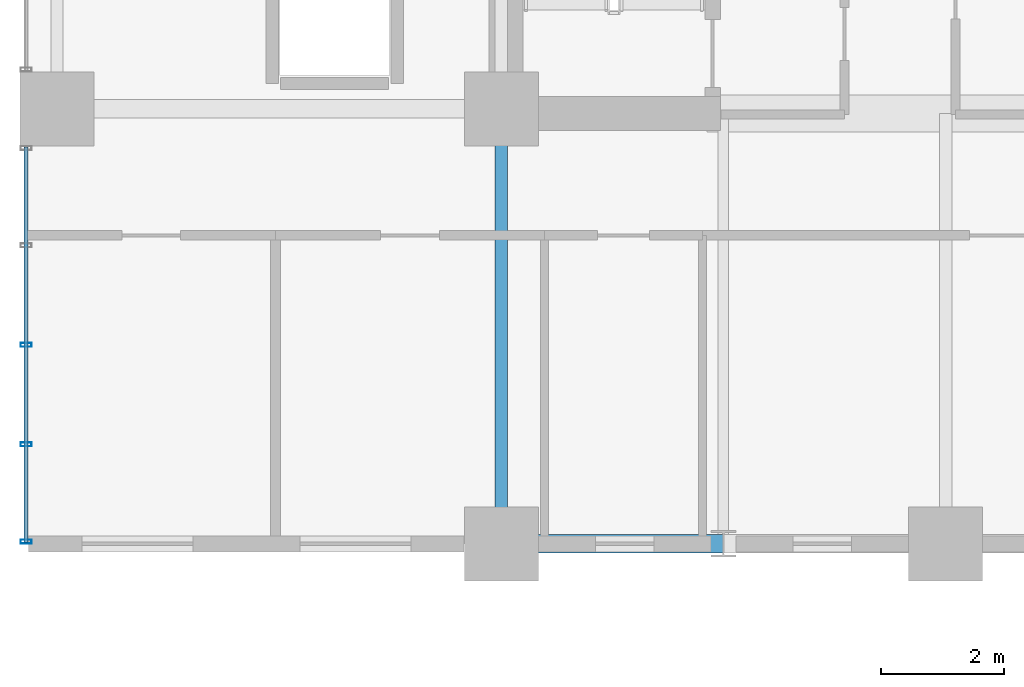
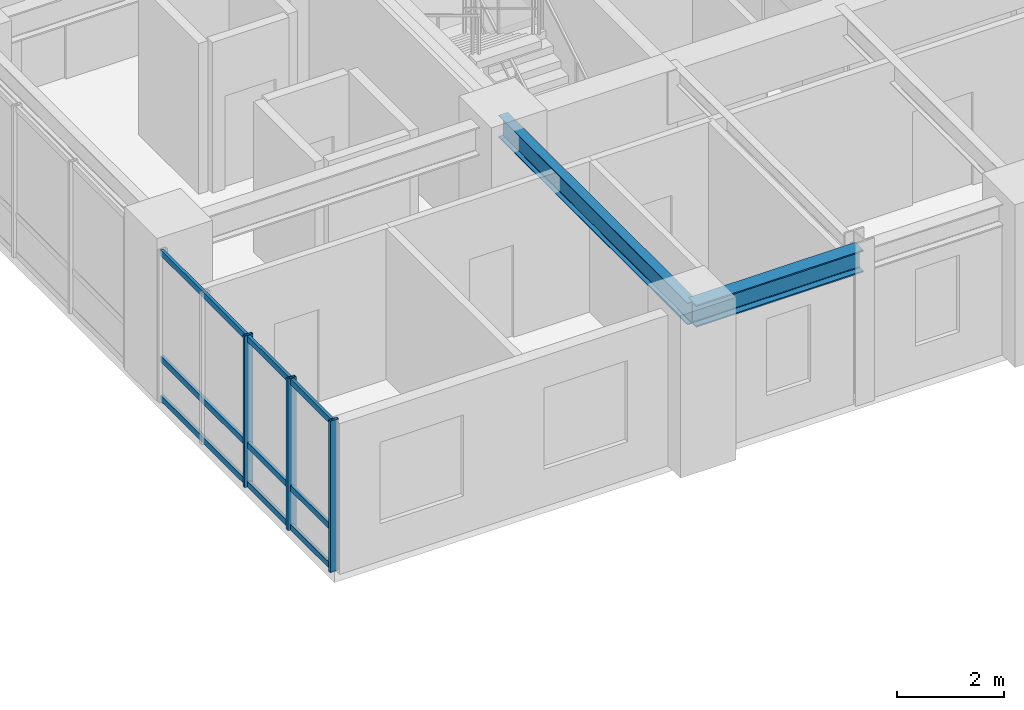
# One storey, part 2 of 18: 6 members, 2 beams, 1 element without a shape of its own.
"""IFC4 building model written with IfcOpenShell, lengths in metres."""

from ifc_helpers import new_model, si_unit, direction, frame, origin, origin_2d, place, context, subcontext, project, spatial, hollow_rectangle, i_section, extrude, source, transform, mapped, material, layer, layer_set, material_profile, profile_set, type_object, element, aggregate, save


model = new_model("IFC4")

# Units and contexts
model_context = context("Model", 3, precision=1e-05, world=origin(), true_north=direction((0.0, 1.0)))
body_context = subcontext(model_context, "Body", "Model", "MODEL_VIEW")
ifc_project = project(units=[si_unit("LENGTHUNIT", "METRE"), si_unit("AREAUNIT", "SQUARE_METRE"), si_unit("VOLUMEUNIT", "CUBIC_METRE"), si_unit("PLANEANGLEUNIT", "RADIAN"), si_unit("MASSUNIT", "GRAM", prefix="KILO")], contexts=[model_context])

# Site, building, storey
site_placement = place(None, origin())
site = spatial("IfcSite", under=ifc_project, at=site_placement, CompositionType="ELEMENT")
building_placement = place(site_placement, origin())
building = spatial("IfcBuilding", under=site, at=building_placement, Name="Kaliganga Portal Commons", CompositionType="ELEMENT")
storey_placement = place(building_placement, frame((0.0, 0.0, 93.39990234375)))
storey = spatial("IfcBuildingStorey", under=building, at=storey_placement, Name="L23", CompositionType="ELEMENT", Elevation=93.39990234375)

# Beams
ifc_material_1 = material(Name="Structural steel S355J2", Category="steel")
ifc_material_profile_1 = material_profile(ifc_material_1, i_section(OverallWidth=0.300048828125, OverallDepth=0.5, WebThickness=0.014404296875, FlangeThickness=0.028076171875, FilletRadius=0.027099609375, at=origin_2d()), Name="HE 500 B")
ifc_profile_set_1 = profile_set([ifc_material_profile_1], Name="Structural steel S355J2 wide-flange")
beam_type_1 = type_object("IfcBeamType", Name="BM-SPAND-500", PredefinedType="SPANDREL", material=ifc_profile_set_1)
shared_shape_1 = source(origin(), body_context, "Body", "SweptSolid", [
    extrude(i_section(OverallWidth=0.300048828125, OverallDepth=0.5, WebThickness=0.014404296875, FlangeThickness=0.028076171875, FilletRadius=0.027099609375, at=origin_2d()), origin(), (0.0, 0.0, 1.0), 3.60009765625),
])
beam_1_placement = place(storey_placement, frame((14.39990234375, 21.60009765625, 3.2001953125), z_axis=(1.0, 0.0, 0.0), x_axis=(0.0, 1.0, 0.0)))
element("IfcBeam", 1, at=beam_1_placement, inside=storey, type_object=beam_type_1, Name="BM SP L23 AS 1", PredefinedType="SPANDREL", context=body_context, shape_type="MappedRepresentation", body=[
    mapped(shared_shape_1, transform((0.0, 0.0, 0.0), x_axis=(1.0, 0.0, 0.0), y_axis=(0.0, 1.0, 0.0), z_axis=(0.0, 0.0, 1.0), scale=1.0)),
])
ifc_material_profile_2 = material_profile(ifc_material_1, i_section(OverallWidth=0.199951171875, OverallDepth=0.5, WebThickness=0.01025390625, FlangeThickness=0.01611328125, FilletRadius=0.02099609375, at=origin_2d()), Name="IPE 500")
ifc_profile_set_2 = profile_set([ifc_material_profile_2], Name="Structural steel S355J2 wide-flange")
beam_type_2 = type_object("IfcBeamType", Name="BM-FLR-500", PredefinedType="BEAM", material=ifc_profile_set_2)
shared_shape_2 = source(origin(), body_context, "Body", "SweptSolid", [
    extrude(i_section(OverallWidth=0.199951171875, OverallDepth=0.5, WebThickness=0.01025390625, FlangeThickness=0.01611328125, FilletRadius=0.02099609375, at=origin_2d()), origin(), (0.0, 0.0, 1.0), 7.0498046875),
])
beam_2_placement = place(storey_placement, frame((14.39990234375, 21.60009765625, 3.2001953125), z_axis=(0.0, 1.0, 0.0), x_axis=(-1.0, 0.0, 0.0)))
element("IfcBeam", 2, at=beam_2_placement, inside=storey, type_object=beam_type_2, Name="BM G L23 AS144", PredefinedType="BEAM", context=body_context, shape_type="MappedRepresentation", body=[
    mapped(shared_shape_2, transform((0.0, 0.0, 0.0), x_axis=(1.0, 0.0, 0.0), y_axis=(0.0, 1.0, 0.0), z_axis=(0.0, 0.0, 1.0), scale=1.0)),
])

# Curtain wall, members
ifc_material_2 = material(Name="Anodized Aluminium and Laminated Low-E Glass", Category="aluminium")
ifc_layer = layer(ifc_material_2, 0.199951171875)
ifc_layer_set = layer_set([ifc_layer], Name="Anodized Aluminium and Laminated Low-E Glass")
curtain_wall_type = type_object("IfcCurtainWallType", Name="CW-SYS-02", PredefinedType="NOTDEFINED", material=ifc_layer_set)
curtain_wall_placement = place(storey_placement, origin())
curtain_wall = element("IfcCurtainWall", 3, at=curtain_wall_placement, inside=storey, type_object=curtain_wall_type, Name="CW 02 L23 P1E03S3", PredefinedType="NOTDEFINED")
ifc_material_3 = material(Name="Dark Bronze Anodized Aluminium", Category="aluminium")
ifc_material_profile_3 = material_profile(ifc_material_3, hollow_rectangle(XDim=0.06494140625, YDim=0.179931640625, WallThickness=0.00390625, at=origin_2d()), Name="ALU MULL 65x180x4")
ifc_profile_set_3 = profile_set([ifc_material_profile_3], Name="Dark Bronze Anodized Aluminium")
member_type_1 = type_object("IfcMemberType", Name="CW-MUL-180", PredefinedType="MULLION", material=ifc_profile_set_3)
shared_shape_3 = source(origin(), body_context, "Body", "SweptSolid", [
    extrude(hollow_rectangle(XDim=0.06494140625, YDim=0.179931640625, WallThickness=0.00390625, at=origin_2d()), origin(), (0.0, 0.0, 1.0), 3.4501953125),
])
member_1_placement = place(storey_placement, frame((6.699951171875, 24.824462890625, 0.0), z_axis=(0.0, 0.0, 1.0), x_axis=(0.0, -1.0, 0.0)))
member_1 = element("IfcMember", 4, at=member_1_placement, type_object=member_type_1, Name="CW:02:L23:P1E03S3 Mullion 02", PredefinedType="MULLION", context=body_context, shape_type="MappedRepresentation", body=[
    mapped(shared_shape_3, transform((0.0, 0.0, 0.0), x_axis=(1.0, 0.0, 0.0), y_axis=(0.0, 1.0, 0.0), z_axis=(0.0, 0.0, 1.0), scale=1.0)),
])
member_2_placement = place(storey_placement, frame((6.699951171875, 23.21240234375, 0.0), z_axis=(0.0, 0.0, 1.0), x_axis=(0.0, -1.0, 0.0)))
member_2 = element("IfcMember", 5, at=member_2_placement, type_object=member_type_1, Name="CW:02:L23:P1E03S3 Mullion 03", PredefinedType="MULLION", context=body_context, shape_type="MappedRepresentation", body=[
    mapped(shared_shape_3, transform((0.0, 0.0, 0.0), x_axis=(1.0, 0.0, 0.0), y_axis=(0.0, 1.0, 0.0), z_axis=(0.0, 0.0, 1.0), scale=1.0)),
])
member_3_placement = place(storey_placement, frame((6.699951171875, 21.635009765625, 0.0), z_axis=(0.0, 0.0, 1.0), x_axis=(0.0, -1.0, 0.0)))
member_3 = element("IfcMember", 6, at=member_3_placement, type_object=member_type_1, Name="CW:02:L23:P1E03S3 Mullion 04", PredefinedType="MULLION", context=body_context, shape_type="MappedRepresentation", body=[
    mapped(shared_shape_3, transform((0.0, 0.0, 0.0), x_axis=(1.0, 0.0, 0.0), y_axis=(0.0, 1.0, 0.0), z_axis=(0.0, 0.0, 1.0), scale=1.0)),
])
ifc_material_profile_4 = material_profile(ifc_material_3, hollow_rectangle(XDim=0.06494140625, YDim=0.135009765625, WallThickness=0.00341796875, at=origin_2d()), Name="ALU TRAN 65x135x3.5")
ifc_profile_set_4 = profile_set([ifc_material_profile_4], Name="Dark Bronze Anodized Aluminium")
member_type_2 = type_object("IfcMemberType", Name="CW-TRN-135", PredefinedType="USERDEFINED", material=ifc_profile_set_4)
shared_shape_4 = source(origin(), body_context, "Body", "SweptSolid", [
    extrude(hollow_rectangle(XDim=0.06494140625, YDim=0.135009765625, WallThickness=0.00341796875, at=origin_2d()), origin(), (0.0, 0.0, 1.0), 6.408935546875),
])
member_4_placement = place(storey_placement, frame((6.699951171875, 28.029052734375, 0.06005859375), z_axis=(0.0, -1.0, 0.0), x_axis=(1.0, 0.0, 0.0)))
member_4 = element("IfcMember", 7, at=member_4_placement, type_object=member_type_2, Name="CW:02:L23:P1E03S3 Transom 1", ObjectType="TRANSOM", PredefinedType="USERDEFINED", context=body_context, shape_type="MappedRepresentation", body=[
    mapped(shared_shape_4, transform((0.0, 0.0, 0.0), x_axis=(1.0, 0.0, 0.0), y_axis=(0.0, 1.0, 0.0), z_axis=(0.0, 0.0, 1.0), scale=1.0)),
])
member_5_placement = place(storey_placement, frame((6.699951171875, 28.029052734375, 0.9501953125), z_axis=(0.0, -1.0, 0.0), x_axis=(1.0, 0.0, 0.0)))
member_5 = element("IfcMember", 8, at=member_5_placement, type_object=member_type_2, Name="CW:02:L23:P1E03S3 Transom 2", ObjectType="TRANSOM", PredefinedType="USERDEFINED", context=body_context, shape_type="MappedRepresentation", body=[
    mapped(shared_shape_4, transform((0.0, 0.0, 0.0), x_axis=(1.0, 0.0, 0.0), y_axis=(0.0, 1.0, 0.0), z_axis=(0.0, 0.0, 1.0), scale=1.0)),
])
member_6_placement = place(storey_placement, frame((6.699951171875, 28.029052734375, 3.3701171875), z_axis=(0.0, -1.0, 0.0), x_axis=(1.0, 0.0, 0.0)))
member_6 = element("IfcMember", 9, at=member_6_placement, type_object=member_type_2, Name="CW:02:L23:P1E03S3 Transom 3", ObjectType="TRANSOM", PredefinedType="USERDEFINED", context=body_context, shape_type="MappedRepresentation", body=[
    mapped(shared_shape_4, transform((0.0, 0.0, 0.0), x_axis=(1.0, 0.0, 0.0), y_axis=(0.0, 1.0, 0.0), z_axis=(0.0, 0.0, 1.0), scale=1.0)),
])
aggregate(curtain_wall, [member_1, member_2, member_3, member_4, member_5, member_6])

save(model, "model.ifc")
